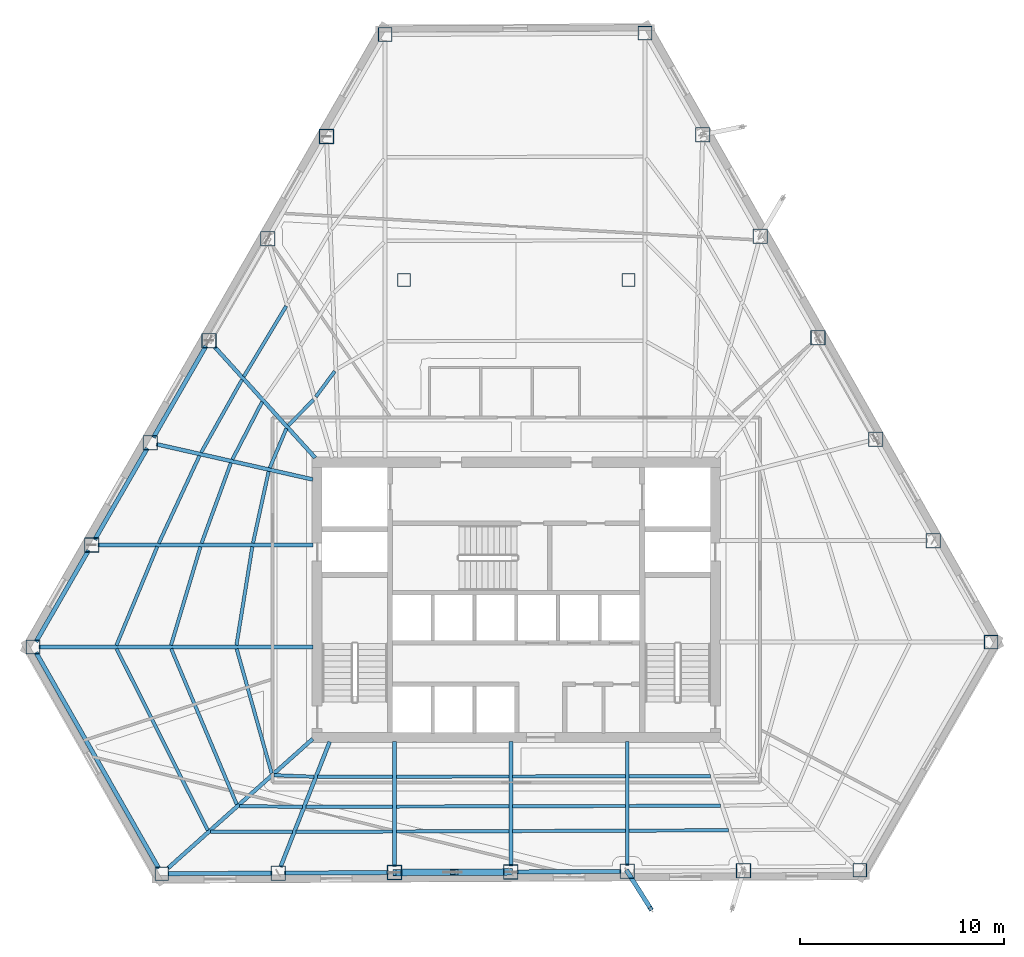
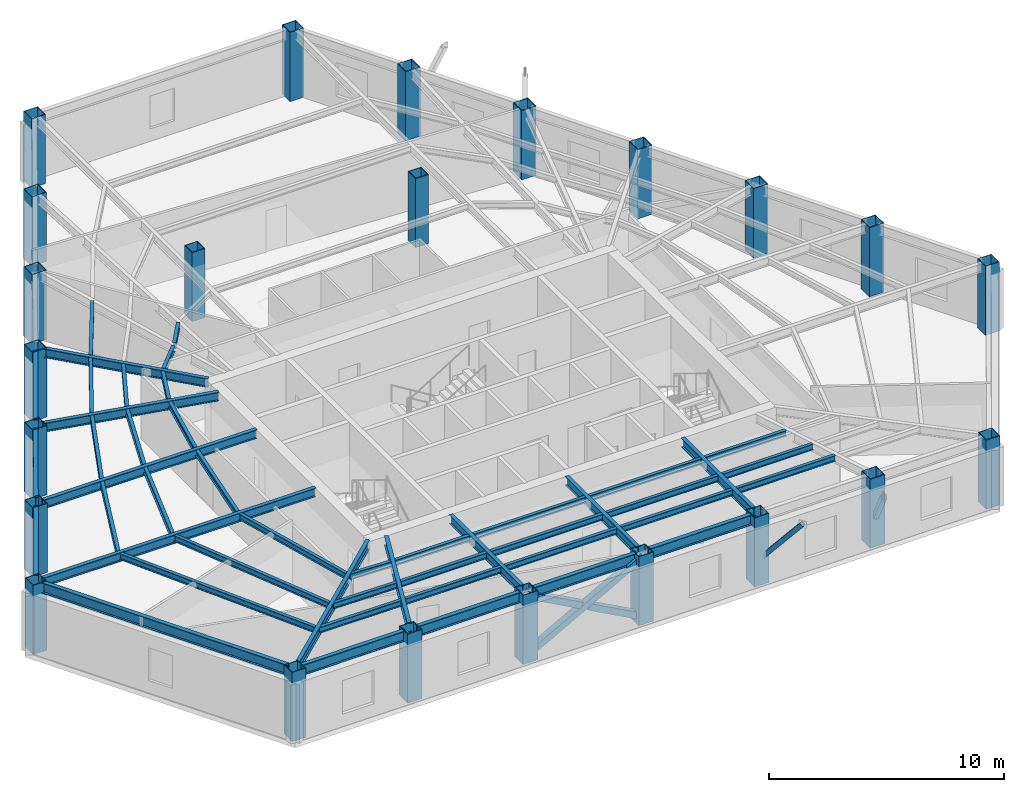
# One storey, part 1 of 13: 47 beams, 23 columns, 4 members.
"""IFC4 building model written with IfcOpenShell, lengths in metres."""

from ifc_helpers import new_model, si_unit, direction, frame, origin, origin_2d, place, context, subcontext, project, spatial, hollow_rectangle, i_section, extrude, material, material_profile, profile_set, type_object, element, save


model = new_model("IFC4")

# Units and contexts
model_context = context("Model", 3, precision=1e-05, world=origin(), true_north=direction((0.0, 1.0)))
body_context = subcontext(model_context, "Body", "Model", "MODEL_VIEW")
ifc_project = project(units=[si_unit("LENGTHUNIT", "METRE"), si_unit("AREAUNIT", "SQUARE_METRE"), si_unit("VOLUMEUNIT", "CUBIC_METRE"), si_unit("PLANEANGLEUNIT", "RADIAN"), si_unit("MASSUNIT", "GRAM", prefix="KILO")], contexts=[model_context])

# Site, building, storey
site_placement = place(None, origin())
site = spatial("IfcSite", under=ifc_project, at=site_placement, CompositionType="ELEMENT")
building_placement = place(site_placement, origin())
building = spatial("IfcBuilding", under=site, at=building_placement, Name="Kavelnor Concourse Tower", CompositionType="ELEMENT")
storey_placement = place(building_placement, frame((0.0, 0.0, 85.5)))
storey = spatial("IfcBuildingStorey", under=building, at=storey_placement, Name="L21", CompositionType="ELEMENT", Elevation=85.5)

# Columns
ifc_material = material(Name="Steel Grade 350", Category="steel")
ifc_material_profile_1 = material_profile(ifc_material, hollow_rectangle(XDim=0.679931640625, YDim=0.679931640625, WallThickness=0.030029296875, at=origin_2d()), Name="SHS 680x680x30")
ifc_profile_set_1 = profile_set([ifc_material_profile_1], Name="Steel Grade 350")
column_type_1 = type_object("IfcColumnType", Name="COL-FOLD-Z2", PredefinedType="COLUMN", material=ifc_profile_set_1)
for number, where, z_axis, x_axis, name in (
    (1, (31.568603515625, 43.842529296875, 0.0), (0.0, 0.0, 1.0), (1.0, 0.0, 0.0), "L21 Perimeter Corner-Fold Column F0-B0"),
    (2, (14.287109375, 13.78515625, 0.0), (0.0, 0.0, 1.0), (1.0, 0.0, 0.0), "L21 Perimeter Corner-Fold Column F0-B6"),
    (3, (20.60791015625, 2.663818359375, 0.0), (0.0, 0.0, 1.0), (1.0, 0.0, 0.0), "L21 Perimeter Corner-Fold Column F1-B0"),
    (4, (54.8623046875, 2.83447265625, 0.0), (0.0, 0.0, 1.0), (1.0, 0.0, 0.0), "L21 Perimeter Corner-Fold Column F1-B6"),
    (5, (61.2978515625, 14.027587890625, 0.0), (0.0, 0.0, 1.0), (1.0, 0.0, 0.0), "L21 Perimeter Corner-Fold Column F2-B0"),
    (6, (44.316650390625, 43.906005859375, 0.0), (0.0, 0.0, 1.0), (1.0, 0.0, 0.0), "L21 Perimeter Corner-Fold Column F2-B6"),
):
    element("IfcColumn", number, at=place(storey_placement, frame(where, z_axis=z_axis, x_axis=x_axis)), inside=storey, type_object=column_type_1, Name=name, PredefinedType="COLUMN", context=body_context, shape_type="SweptSolid", body=[
        extrude(hollow_rectangle(XDim=0.679931640625, YDim=0.679931640625, WallThickness=0.030029296875, at=origin_2d()), origin(), (0.0, 0.0, 1.0), 3.60009765625),
    ])
ifc_material_profile_2 = material_profile(ifc_material, hollow_rectangle(XDim=0.719970703125, YDim=0.719970703125, WallThickness=0.031982421875, at=origin_2d()), Name="SHS 720x720x32")
ifc_profile_set_2 = profile_set([ifc_material_profile_2], Name="Steel Grade 350")
column_type_2 = type_object("IfcColumnType", Name="COL-TUBE-Z2", PredefinedType="COLUMN", material=ifc_profile_set_2)
for number, where, z_axis, x_axis, name in (
    (7, (28.6884765625, 38.8330078125, 0.0), (0.0, 0.0, 1.0), (1.0, 0.0, 0.0), "L21 Perimeter Framed-Tube Column F0-B1"),
    (8, (25.80810546875, 33.823486328125, 0.0), (0.0, 0.0, 1.0), (1.0, 0.0, 0.0), "L21 Perimeter Framed-Tube Column F0-B2"),
    (9, (22.927978515625, 28.81396484375, 0.0), (0.0, 0.0, 1.0), (1.0, 0.0, 0.0), "L21 Perimeter Framed-Tube Column F0-B3"),
    (10, (20.047607421875, 23.80419921875, 0.0), (0.0, 0.0, 1.0), (1.0, 0.0, 0.0), "L21 Perimeter Framed-Tube Column F0-B4"),
    (11, (17.16748046875, 18.794921875, 0.0), (0.0, 0.0, 1.0), (1.0, 0.0, 0.0), "L21 Perimeter Framed-Tube Column F0-B5"),
    (12, (26.31689453125, 2.6923828125, 0.0), (0.0, 0.0, 1.0), (1.0, 0.0, 0.0), "L21 Perimeter Framed-Tube Column F1-B1"),
    (13, (32.026123046875, 2.720703125, 0.0), (0.0, 0.0, 1.0), (1.0, 0.0, 0.0), "L21 Perimeter Framed-Tube Column F1-B2"),
    (14, (37.735107421875, 2.749267578125, 0.0), (0.0, 0.0, 1.0), (1.0, 0.0, 0.0), "L21 Perimeter Framed-Tube Column F1-B3"),
    (15, (43.444091796875, 2.777587890625, 0.0), (0.0, 0.0, 1.0), (1.0, 0.0, 0.0), "L21 Perimeter Framed-Tube Column F1-B4"),
    (16, (49.1533203125, 2.805908203125, 0.0), (0.0, 0.0, 1.0), (1.0, 0.0, 0.0), "L21 Perimeter Framed-Tube Column F1-B5"),
    (17, (58.467529296875, 19.007080078125, 0.0), (0.0, 0.0, 1.0), (1.0, 0.0, 0.0), "L21 Perimeter Framed-Tube Column F2-B1"),
    (18, (55.637451171875, 23.987060546875, 0.0), (0.0, 0.0, 1.0), (1.0, 0.0, 0.0), "L21 Perimeter Framed-Tube Column F2-B2"),
    (19, (52.80712890625, 28.966796875, 0.0), (0.0, 0.0, 1.0), (1.0, 0.0, 0.0), "L21 Perimeter Framed-Tube Column F2-B3"),
    (20, (49.97705078125, 33.9462890625, 0.0), (0.0, 0.0, 1.0), (1.0, 0.0, 0.0), "L21 Perimeter Framed-Tube Column F2-B4"),
    (21, (47.146728515625, 38.92626953125, 0.0), (0.0, 0.0, 1.0), (1.0, 0.0, 0.0), "L21 Perimeter Framed-Tube Column F2-B5"),
):
    element("IfcColumn", number, at=place(storey_placement, frame(where, z_axis=z_axis, x_axis=x_axis)), inside=storey, type_object=column_type_2, Name=name, PredefinedType="COLUMN", context=body_context, shape_type="SweptSolid", body=[
        extrude(hollow_rectangle(XDim=0.719970703125, YDim=0.719970703125, WallThickness=0.031982421875, at=origin_2d()), origin(), (0.0, 0.0, 1.0), 3.60009765625),
    ])
ifc_material_profile_3 = material_profile(ifc_material, hollow_rectangle(XDim=0.639892578125, YDim=0.639892578125, WallThickness=0.028076171875, at=origin_2d()), Name="SHS 640x640x28")
ifc_profile_set_3 = profile_set([ifc_material_profile_3], Name="Steel Grade 350")
column_type_3 = type_object("IfcColumnType", Name="COL-TUBE-Z3", PredefinedType="COLUMN", material=ifc_profile_set_3)
for number, where, z_axis, x_axis, name in (
    (22, (32.5, 31.800048828125, 0.0), (0.0, 0.0, 1.0), (1.0, 0.0, 0.0), "L21 North Interior Gravity Column BC-NW"),
    (23, (43.5, 31.800048828125, 0.0), (0.0, 0.0, 1.0), (1.0, 0.0, 0.0), "L21 North Interior Gravity Column BC-NE"),
):
    element("IfcColumn", number, at=place(storey_placement, frame(where, z_axis=z_axis, x_axis=x_axis)), inside=storey, type_object=column_type_3, Name=name, PredefinedType="COLUMN", context=body_context, shape_type="SweptSolid", body=[
        extrude(hollow_rectangle(XDim=0.639892578125, YDim=0.639892578125, WallThickness=0.028076171875, at=origin_2d()), origin(), (0.0, 0.0, 1.0), 3.60009765625),
    ])

# Beams
ifc_material_profile_4 = material_profile(ifc_material, i_section(OverallWidth=0.166015625, OverallDepth=0.306884765625, WebThickness=0.006591796875, FlangeThickness=0.01171875, at=origin_2d()), Name="310UB46")
ifc_profile_set_4 = profile_set([ifc_material_profile_4], Name="Steel Grade 350")
beam_type_1 = type_object("IfcBeamType", Name="BM-JOIST-310", PredefinedType="JOIST", material=ifc_profile_set_4)
beam_1_placement = place(storey_placement, frame((24.282958984375, 13.699462890625, 3.446533203125), z_axis=(0.270477158848, -0.962726392357, 0.0), x_axis=(0.962726392357, 0.270477158848, 0.0)))
element("IfcBeam", 24, at=beam_1_placement, inside=storey, type_object=beam_type_1, Name="L21 Secondary Composite Joist 01-1", PredefinedType="JOIST", context=body_context, shape_type="SweptSolid", body=[
    extrude(i_section(OverallWidth=0.166015625, OverallDepth=0.306884765625, WebThickness=0.006591796875, FlangeThickness=0.01171875, at=origin_2d()), origin(), (0.0, 0.0, 1.0), 6.34814453125),
])
beam_2_placement = place(storey_placement, frame((21.069580078125, 13.703125, 3.446533203125), z_axis=(0.388203145017, -0.921573826776, 0.0), x_axis=(0.921573826776, 0.388203145017, 0.0)))
element("IfcBeam", 25, at=beam_2_placement, inside=storey, type_object=beam_type_1, Name="L21 Secondary Composite Joist 01-2", PredefinedType="JOIST", context=body_context, shape_type="SweptSolid", body=[
    extrude(i_section(OverallWidth=0.166015625, OverallDepth=0.306884765625, WebThickness=0.006591796875, FlangeThickness=0.01171875, at=origin_2d()), origin(), (0.0, 0.0, 1.0), 8.28955078125),
])
beam_3_placement = place(storey_placement, frame((18.38818359375, 13.705810546875, 3.446533203125), z_axis=(0.448799308989, -0.893632575644, 0.0), x_axis=(0.893632575644, 0.448799308989, 0.0)))
element("IfcBeam", 26, at=beam_3_placement, inside=storey, type_object=beam_type_1, Name="L21 Secondary Composite Joist 01-3", PredefinedType="JOIST", context=body_context, shape_type="SweptSolid", body=[
    extrude(i_section(OverallWidth=0.166015625, OverallDepth=0.306884765625, WebThickness=0.006591796875, FlangeThickness=0.01171875, at=origin_2d()), origin(), (0.0, 0.0, 1.0), 9.972412109375),
])
beam_4_placement = place(storey_placement, frame((26.113037109375, 7.498779296875, 3.446533203125), z_axis=(0.999218478403, -0.039527615899, 0.0), x_axis=(0.039527615899, 0.999218478403, 0.0)))
element("IfcBeam", 27, at=beam_4_placement, inside=storey, type_object=beam_type_1, Name="L21 Secondary Composite Joist 02-1", PredefinedType="JOIST", context=body_context, shape_type="SweptSolid", body=[
    extrude(i_section(OverallWidth=0.166015625, OverallDepth=0.306884765625, WebThickness=0.006591796875, FlangeThickness=0.01171875, at=origin_2d()), origin(), (0.0, 0.0, 1.0), 1.97021484375),
])
beam_5_placement = place(storey_placement, frame((24.4111328125, 5.980712890625, 3.446533203125), z_axis=(0.999930813956, -0.011762963152, 0.0), x_axis=(0.011762963152, 0.999930813956, 0.0)))
element("IfcBeam", 28, at=beam_5_placement, inside=storey, type_object=beam_type_1, Name="L21 Secondary Composite Joist 02-2", PredefinedType="JOIST", context=body_context, shape_type="SweptSolid", body=[
    extrude(i_section(OverallWidth=0.166015625, OverallDepth=0.306884765625, WebThickness=0.006591796875, FlangeThickness=0.01171875, at=origin_2d()), origin(), (0.0, 0.0, 1.0), 3.092529296875),
])
beam_6_placement = place(storey_placement, frame((22.992919921875, 4.71484375, 3.446533203125), z_axis=(1.0, 0.0, 0.0), x_axis=(0.0, 1.0, 0.0)))
element("IfcBeam", 29, at=beam_6_placement, inside=storey, type_object=beam_type_1, Name="L21 Secondary Composite Joist 02-3", PredefinedType="JOIST", context=body_context, shape_type="SweptSolid", body=[
    extrude(i_section(OverallWidth=0.166015625, OverallDepth=0.306884765625, WebThickness=0.006591796875, FlangeThickness=0.01171875, at=origin_2d()), origin(), (0.0, 0.0, 1.0), 4.028564453125),
])
beam_7_placement = place(storey_placement, frame((28.259765625, 7.41748046875, 3.446533203125), z_axis=(0.999996982785, 0.002456505667, 0.0), x_axis=(-0.002456505667, 0.999996982785, 0.0)))
element("IfcBeam", 30, at=beam_7_placement, inside=storey, type_object=beam_type_1, Name="L21 Secondary Composite Joist 03-1", PredefinedType="JOIST", context=body_context, shape_type="SweptSolid", body=[
    extrude(i_section(OverallWidth=0.166015625, OverallDepth=0.306884765625, WebThickness=0.006591796875, FlangeThickness=0.01171875, at=origin_2d()), origin(), (0.0, 0.0, 1.0), 3.67724609375),
])
beam_8_placement = place(storey_placement, frame((27.681396484375, 5.943603515625, 3.446533203125), z_axis=(0.999994464233, 0.003327386778, 0.0), x_axis=(-0.003327386778, 0.999994464233, 0.0)))
element("IfcBeam", 31, at=beam_8_placement, inside=storey, type_object=beam_type_1, Name="L21 Secondary Composite Joist 03-2", PredefinedType="JOIST", context=body_context, shape_type="SweptSolid", body=[
    extrude(i_section(OverallWidth=0.166015625, OverallDepth=0.306884765625, WebThickness=0.006591796875, FlangeThickness=0.01171875, at=origin_2d()), origin(), (0.0, 0.0, 1.0), 4.255615234375),
])
beam_9_placement = place(storey_placement, frame((27.199462890625, 4.715087890625, 3.446533203125), z_axis=(0.999992127385, 0.003968018233, 0.0), x_axis=(-0.003968018233, 0.999992127385, 0.0)))
element("IfcBeam", 32, at=beam_9_placement, inside=storey, type_object=beam_type_1, Name="L21 Secondary Composite Joist 03-3", PredefinedType="JOIST", context=body_context, shape_type="SweptSolid", body=[
    extrude(i_section(OverallWidth=0.166015625, OverallDepth=0.306884765625, WebThickness=0.006591796875, FlangeThickness=0.01171875, at=origin_2d()), origin(), (0.0, 0.0, 1.0), 4.737548828125),
])
for number, where, z_axis, x_axis, name in (
    (33, (32.114990234375, 7.4267578125, 3.446533203125), (0.999999002523, 0.00141242797, 0.0), (-0.00141242797, 0.999999002523, 0.0), "L21 Secondary Composite Joist 04-1"),
    (34, (32.114990234375, 5.958251953125, 3.446533203125), (0.999996609175, 0.002604157836, 0.0), (-0.002604157836, 0.999996609175, 0.0), "L21 Secondary Composite Joist 04-2"),
    (35, (32.114990234375, 4.734375, 3.446533203125), (0.999993450216, 0.003619326577, 0.0), (-0.003619326577, 0.999993450216, 0.0), "L21 Secondary Composite Joist 04-3"),
):
    element("IfcBeam", number, at=place(storey_placement, frame(where, z_axis=z_axis, x_axis=x_axis)), inside=storey, type_object=beam_type_1, Name=name, PredefinedType="JOIST", context=body_context, shape_type="SweptSolid", body=[
        extrude(i_section(OverallWidth=0.166015625, OverallDepth=0.306884765625, WebThickness=0.006591796875, FlangeThickness=0.01171875, at=origin_2d()), origin(), (0.0, 0.0, 1.0), 5.53125),
    ])
for number, where, z_axis, x_axis, name in (
    (36, (37.82421875, 7.434814453125, 3.446533203125), (0.999999063809, 0.001368350076, 0.0), (-0.001368350076, 0.999999063809, 0.0), "L21 Secondary Composite Joist 05-1"),
    (37, (37.82421875, 5.972900390625, 3.446533203125), (0.999996608876, 0.002604272784, 0.0), (-0.002604272784, 0.999996608876, 0.0), "L21 Secondary Composite Joist 05-2"),
    (38, (37.82421875, 4.7548828125, 3.446533203125), (0.999993449638, 0.003619486333, 0.0), (-0.003619486333, 0.999993449638, 0.0), "L21 Secondary Composite Joist 05-3"),
):
    element("IfcBeam", number, at=place(storey_placement, frame(where, z_axis=z_axis, x_axis=x_axis)), inside=storey, type_object=beam_type_1, Name=name, PredefinedType="JOIST", context=body_context, shape_type="SweptSolid", body=[
        extrude(i_section(OverallWidth=0.166015625, OverallDepth=0.306884765625, WebThickness=0.006591796875, FlangeThickness=0.01171875, at=origin_2d()), origin(), (0.0, 0.0, 1.0), 5.531005859375),
    ])
beam_10_placement = place(storey_placement, frame((43.533203125, 7.442626953125, 3.446533203125), z_axis=(0.999998541292, 0.001708043626, 0.0), x_axis=(-0.001708043626, 0.999998541292, 0.0)))
element("IfcBeam", 39, at=beam_10_placement, inside=storey, type_object=beam_type_1, Name="L21 Secondary Composite Joist 06-1", PredefinedType="JOIST", context=body_context, shape_type="SweptSolid", body=[
    extrude(i_section(OverallWidth=0.166015625, OverallDepth=0.306884765625, WebThickness=0.006591796875, FlangeThickness=0.01171875, at=origin_2d()), origin(), (0.0, 0.0, 1.0), 4.002197265625),
])
beam_11_placement = place(storey_placement, frame((43.533203125, 5.98779296875, 3.446533203125), z_axis=(0.999994828277, 0.003216118554, 0.0), x_axis=(-0.003216118554, 0.999994828277, 0.0)))
element("IfcBeam", 40, at=beam_11_placement, inside=storey, type_object=beam_type_1, Name="L21 Secondary Composite Joist 06-2", PredefinedType="JOIST", context=body_context, shape_type="SweptSolid", body=[
    extrude(i_section(OverallWidth=0.166015625, OverallDepth=0.306884765625, WebThickness=0.006591796875, FlangeThickness=0.01171875, at=origin_2d()), origin(), (0.0, 0.0, 1.0), 4.478759765625),
])
beam_12_placement = place(storey_placement, frame((43.533203125, 4.775390625, 3.446533203125), z_axis=(0.999991154484, 0.004206061638, 0.0), x_axis=(-0.004206061638, 0.999991154484, 0.0)))
element("IfcBeam", 41, at=beam_12_placement, inside=storey, type_object=beam_type_1, Name="L21 Secondary Composite Joist 06-3", PredefinedType="JOIST", context=body_context, shape_type="SweptSolid", body=[
    extrude(i_section(OverallWidth=0.166015625, OverallDepth=0.306884765625, WebThickness=0.006591796875, FlangeThickness=0.01171875, at=origin_2d()), origin(), (0.0, 0.0, 1.0), 4.875732421875),
])
beam_13_placement = place(storey_placement, frame((29.097412109375, 27.32080078125, 3.446533203125), z_axis=(-0.593688712182, -0.804694794955, 0.0), x_axis=(0.804694794955, -0.593688712182, 0.0)))
element("IfcBeam", 42, at=beam_13_placement, inside=storey, type_object=beam_type_1, Name="L21 Secondary Composite Joist 17-1", PredefinedType="JOIST", context=body_context, shape_type="SweptSolid", body=[
    extrude(i_section(OverallWidth=0.166015625, OverallDepth=0.306884765625, WebThickness=0.006591796875, FlangeThickness=0.01171875, at=origin_2d()), origin(), (0.0, 0.0, 1.0), 1.564208984375),
])
beam_14_placement = place(storey_placement, frame((28.053955078125, 25.926513671875, 3.446533203125), z_axis=(-0.696767455743, -0.717297088115, 0.0), x_axis=(0.717297088115, -0.696767455743, 0.0)))
element("IfcBeam", 43, at=beam_14_placement, inside=storey, type_object=beam_type_1, Name="L21 Secondary Composite Joist 18-1", PredefinedType="JOIST", context=body_context, shape_type="SweptSolid", body=[
    extrude(i_section(OverallWidth=0.166015625, OverallDepth=0.306884765625, WebThickness=0.006591796875, FlangeThickness=0.01171875, at=origin_2d()), origin(), (0.0, 0.0, 1.0), 1.77197265625),
])
beam_15_placement = place(storey_placement, frame((26.714111328125, 30.5166015625, 3.446533203125), z_axis=(-0.515278574143, -0.857022748257, 0.0), x_axis=(0.857022748257, -0.515278574143, 0.0)))
element("IfcBeam", 44, at=beam_15_placement, inside=storey, type_object=beam_type_1, Name="L21 Secondary Composite Joist 18-3", PredefinedType="JOIST", context=body_context, shape_type="SweptSolid", body=[
    extrude(i_section(OverallWidth=0.166015625, OverallDepth=0.306884765625, WebThickness=0.006591796875, FlangeThickness=0.01171875, at=origin_2d()), origin(), (0.0, 0.0, 1.0), 4.034912109375),
])
beam_16_placement = place(storey_placement, frame((26.722900390625, 24.509765625, 3.446533203125), z_axis=(-0.388669689817, -0.921377160677, 0.0), x_axis=(0.921377160677, -0.388669689817, 0.0)))
element("IfcBeam", 45, at=beam_16_placement, inside=storey, type_object=beam_type_1, Name="L21 Secondary Composite Joist 19-1", PredefinedType="JOIST", context=body_context, shape_type="SweptSolid", body=[
    extrude(i_section(OverallWidth=0.166015625, OverallDepth=0.306884765625, WebThickness=0.006591796875, FlangeThickness=0.01171875, at=origin_2d()), origin(), (0.0, 0.0, 1.0), 2.101806640625),
])
beam_17_placement = place(storey_placement, frame((25.53369140625, 25.81640625, 3.446533203125), z_axis=(-0.458943448697, -0.888465480983, 0.0), x_axis=(0.888465480983, -0.458943448697, 0.0)))
element("IfcBeam", 46, at=beam_17_placement, inside=storey, type_object=beam_type_1, Name="L21 Secondary Composite Joist 19-2", PredefinedType="JOIST", context=body_context, shape_type="SweptSolid", body=[
    extrude(i_section(OverallWidth=0.166015625, OverallDepth=0.306884765625, WebThickness=0.006591796875, FlangeThickness=0.01171875, at=origin_2d()), origin(), (0.0, 0.0, 1.0), 3.1865234375),
])
beam_18_placement = place(storey_placement, frame((24.545654296875, 26.904541015625, 3.446533203125), z_axis=(-0.489350418547, -0.872087247853, 0.0), x_axis=(0.872087247853, -0.489350418547, 0.0)))
element("IfcBeam", 47, at=beam_18_placement, inside=storey, type_object=beam_type_1, Name="L21 Secondary Composite Joist 19-3", PredefinedType="JOIST", context=body_context, shape_type="SweptSolid", body=[
    extrude(i_section(OverallWidth=0.166015625, OverallDepth=0.306884765625, WebThickness=0.006591796875, FlangeThickness=0.01171875, at=origin_2d()), origin(), (0.0, 0.0, 1.0), 4.09912109375),
])
beam_19_placement = place(storey_placement, frame((25.852294921875, 22.404296875, 3.446533203125), z_axis=(-0.213042491905, -0.977042934903, 0.0), x_axis=(0.977042934903, -0.213042491905, 0.0)))
element("IfcBeam", 48, at=beam_19_placement, inside=storey, type_object=beam_type_1, Name="L21 Secondary Composite Joist 20-1", PredefinedType="JOIST", context=body_context, shape_type="SweptSolid", body=[
    extrude(i_section(OverallWidth=0.166015625, OverallDepth=0.306884765625, WebThickness=0.006591796875, FlangeThickness=0.01171875, at=origin_2d()), origin(), (0.0, 0.0, 1.0), 3.605224609375),
])
beam_20_placement = place(storey_placement, frame((24.0, 22.822509765625, 3.446533203125), z_axis=(-0.34233139132, -0.939579277399, 0.0), x_axis=(0.939579277399, -0.34233139132, 0.0)))
element("IfcBeam", 49, at=beam_20_placement, inside=storey, type_object=beam_type_1, Name="L21 Secondary Composite Joist 20-2", PredefinedType="JOIST", context=body_context, shape_type="SweptSolid", body=[
    extrude(i_section(OverallWidth=0.166015625, OverallDepth=0.306884765625, WebThickness=0.006591796875, FlangeThickness=0.01171875, at=origin_2d()), origin(), (0.0, 0.0, 1.0), 4.19775390625),
])
beam_21_placement = place(storey_placement, frame((22.458740234375, 23.17138671875, 3.446533203125), z_axis=(-0.421892307774, -0.906645951097, 0.0), x_axis=(0.906645951097, -0.421892307774, 0.0)))
element("IfcBeam", 50, at=beam_21_placement, inside=storey, type_object=beam_type_1, Name="L21 Secondary Composite Joist 20-3", PredefinedType="JOIST", context=body_context, shape_type="SweptSolid", body=[
    extrude(i_section(OverallWidth=0.166015625, OverallDepth=0.306884765625, WebThickness=0.006591796875, FlangeThickness=0.01171875, at=origin_2d()), origin(), (0.0, 0.0, 1.0), 4.73828125),
])
beam_22_placement = place(storey_placement, frame((25.051025390625, 18.706787109375, 3.446533203125), z_axis=(-0.158922009339, -0.987291139911, 0.0), x_axis=(0.987291139911, -0.158922009339, 0.0)))
element("IfcBeam", 51, at=beam_22_placement, inside=storey, type_object=beam_type_1, Name="L21 Secondary Composite Joist 21-1", PredefinedType="JOIST", context=body_context, shape_type="SweptSolid", body=[
    extrude(i_section(OverallWidth=0.166015625, OverallDepth=0.306884765625, WebThickness=0.006591796875, FlangeThickness=0.01171875, at=origin_2d()), origin(), (0.0, 0.0, 1.0), 4.89599609375),
])
beam_23_placement = place(storey_placement, frame((22.507080078125, 18.70947265625, 3.446533203125), z_axis=(-0.286460796215, -0.958091964392, 0.0), x_axis=(0.958091964392, -0.286460796215, 0.0)))
element("IfcBeam", 52, at=beam_23_placement, inside=storey, type_object=beam_type_1, Name="L21 Secondary Composite Joist 21-2", PredefinedType="JOIST", context=body_context, shape_type="SweptSolid", body=[
    extrude(i_section(OverallWidth=0.166015625, OverallDepth=0.306884765625, WebThickness=0.006591796875, FlangeThickness=0.01171875, at=origin_2d()), origin(), (0.0, 0.0, 1.0), 5.050537109375),
])
beam_24_placement = place(storey_placement, frame((20.38818359375, 18.712646484375, 3.446533203125), z_axis=(-0.382505304572, -0.923953295343, 0.0), x_axis=(0.923953295343, -0.382505304572, 0.0)))
element("IfcBeam", 53, at=beam_24_placement, inside=storey, type_object=beam_type_1, Name="L21 Secondary Composite Joist 21-3", PredefinedType="JOIST", context=body_context, shape_type="SweptSolid", body=[
    extrude(i_section(OverallWidth=0.166015625, OverallDepth=0.306884765625, WebThickness=0.006591796875, FlangeThickness=0.01171875, at=origin_2d()), origin(), (0.0, 0.0, 1.0), 5.243896484375),
])
ifc_material_profile_5 = material_profile(ifc_material, i_section(OverallWidth=0.18994140625, OverallDepth=0.4541015625, WebThickness=0.008544921875, FlangeThickness=0.0126953125, at=origin_2d()), Name="460UB67")
ifc_profile_set_5 = profile_set([ifc_material_profile_5], Name="Steel Grade 350")
beam_type_2 = type_object("IfcBeamType", Name="BM-PRIMARY-460", PredefinedType="BEAM", material=ifc_profile_set_5)
beam_25_placement = place(storey_placement, frame((28.13720703125, 23.0703125, 3.373046875), z_axis=(-0.671817486684, 0.740716723576, 0.0), x_axis=(-0.740716723576, -0.671817486684, 0.0)))
element("IfcBeam", 54, at=beam_25_placement, inside=storey, type_object=beam_type_2, Name="L21 Primary Floor Girder F0-B3", PredefinedType="BEAM", context=body_context, shape_type="SweptSolid", body=[
    extrude(i_section(OverallWidth=0.18994140625, OverallDepth=0.4541015625, WebThickness=0.008544921875, FlangeThickness=0.0126953125, at=origin_2d()), origin(), (0.0, 0.0, 1.0), 7.3349609375),
])
beam_26_placement = place(storey_placement, frame((28.01904296875, 22.0068359375, 3.373046875), z_axis=(-0.975510246236, 0.219953994027, 0.0), x_axis=(-0.219953994027, -0.975510246236, 0.0)))
element("IfcBeam", 55, at=beam_26_placement, inside=storey, type_object=beam_type_2, Name="L21 Primary Floor Girder F0-B4", PredefinedType="BEAM", context=body_context, shape_type="SweptSolid", body=[
    extrude(i_section(OverallWidth=0.18994140625, OverallDepth=0.4541015625, WebThickness=0.008544921875, FlangeThickness=0.0126953125, at=origin_2d()), origin(), (0.0, 0.0, 1.0), 7.863037109375),
])
beam_27_placement = place(storey_placement, frame((28.02001953125, 18.794921875, 3.373046875), z_axis=(-1.0, 0.0, 0.0), x_axis=(0.0, -1.0, 0.0)))
element("IfcBeam", 56, at=beam_27_placement, inside=storey, type_object=beam_type_2, Name="L21 Primary Floor Girder F0-B5", PredefinedType="BEAM", context=body_context, shape_type="SweptSolid", body=[
    extrude(i_section(OverallWidth=0.18994140625, OverallDepth=0.4541015625, WebThickness=0.008544921875, FlangeThickness=0.0126953125, at=origin_2d()), origin(), (0.0, 0.0, 1.0), 10.552734375),
])
beam_28_placement = place(storey_placement, frame((28.02001953125, 13.78515625, 3.373046875), z_axis=(-1.0, 0.0, 0.0), x_axis=(0.0, -1.0, 0.0)))
element("IfcBeam", 57, at=beam_28_placement, inside=storey, type_object=beam_type_2, Name="L21 Primary Floor Girder F0-B6", PredefinedType="BEAM", context=body_context, shape_type="SweptSolid", body=[
    extrude(i_section(OverallWidth=0.18994140625, OverallDepth=0.4541015625, WebThickness=0.008544921875, FlangeThickness=0.0126953125, at=origin_2d()), origin(), (0.0, 0.0, 1.0), 13.432861328125),
])
beam_29_placement = place(storey_placement, frame((28.009765625, 9.27587890625, 3.373046875), z_axis=(-0.745769541341, -0.666204016205, 0.0), x_axis=(0.666204016205, -0.745769541341, 0.0)))
element("IfcBeam", 58, at=beam_29_placement, inside=storey, type_object=beam_type_2, Name="L21 Primary Floor Girder F1-B0", PredefinedType="BEAM", context=body_context, shape_type="SweptSolid", body=[
    extrude(i_section(OverallWidth=0.18994140625, OverallDepth=0.4541015625, WebThickness=0.008544921875, FlangeThickness=0.0126953125, at=origin_2d()), origin(), (0.0, 0.0, 1.0), 9.509033203125),
])
beam_30_placement = place(storey_placement, frame((28.845458984375, 9.13720703125, 3.373046875), z_axis=(-0.365219581826, -0.930921402187, 0.0), x_axis=(0.930921402187, -0.365219581826, 0.0)))
element("IfcBeam", 59, at=beam_30_placement, inside=storey, type_object=beam_type_2, Name="L21 Primary Floor Girder F1-B1", PredefinedType="BEAM", context=body_context, shape_type="SweptSolid", body=[
    extrude(i_section(OverallWidth=0.18994140625, OverallDepth=0.4541015625, WebThickness=0.008544921875, FlangeThickness=0.0126953125, at=origin_2d()), origin(), (0.0, 0.0, 1.0), 6.597900390625),
])
beam_31_placement = place(storey_placement, frame((32.026123046875, 9.139892578125, 3.373046875), z_axis=(0.0, -1.0, 0.0), x_axis=(1.0, 0.0, 0.0)))
element("IfcBeam", 60, at=beam_31_placement, inside=storey, type_object=beam_type_2, Name="L21 Primary Floor Girder F1-B2", PredefinedType="BEAM", context=body_context, shape_type="SweptSolid", body=[
    extrude(i_section(OverallWidth=0.18994140625, OverallDepth=0.4541015625, WebThickness=0.008544921875, FlangeThickness=0.0126953125, at=origin_2d()), origin(), (0.0, 0.0, 1.0), 6.119140625),
])
beam_32_placement = place(storey_placement, frame((37.735107421875, 9.139892578125, 3.373046875), z_axis=(0.0, -1.0, 0.0), x_axis=(1.0, 0.0, 0.0)))
element("IfcBeam", 61, at=beam_32_placement, inside=storey, type_object=beam_type_2, Name="L21 Primary Floor Girder F1-B3", PredefinedType="BEAM", context=body_context, shape_type="SweptSolid", body=[
    extrude(i_section(OverallWidth=0.18994140625, OverallDepth=0.4541015625, WebThickness=0.008544921875, FlangeThickness=0.0126953125, at=origin_2d()), origin(), (0.0, 0.0, 1.0), 6.090576171875),
])
beam_33_placement = place(storey_placement, frame((43.444091796875, 9.139892578125, 3.373046875), z_axis=(0.0, -1.0, 0.0), x_axis=(1.0, 0.0, 0.0)))
element("IfcBeam", 62, at=beam_33_placement, inside=storey, type_object=beam_type_2, Name="L21 Primary Floor Girder F1-B4", PredefinedType="BEAM", context=body_context, shape_type="SweptSolid", body=[
    extrude(i_section(OverallWidth=0.18994140625, OverallDepth=0.4541015625, WebThickness=0.008544921875, FlangeThickness=0.0126953125, at=origin_2d()), origin(), (0.0, 0.0, 1.0), 6.062255859375),
])
ifc_material_profile_6 = material_profile(ifc_material, i_section(OverallWidth=0.208984375, OverallDepth=0.532958984375, WebThickness=0.01025390625, FlangeThickness=0.015625, at=origin_2d()), Name="530UB92")
ifc_profile_set_6 = profile_set([ifc_material_profile_6], Name="Steel Grade 350")
beam_type_3 = type_object("IfcBeamType", Name="BM-SPANDREL-Z2", PredefinedType="SPANDREL", material=ifc_profile_set_6)
for number, where, z_axis, x_axis, name in (
    (63, (22.77587890625, 28.549560546875, 3.33349609375), (-0.498416101643, -0.866937938738, 0.0), (0.866937938738, -0.498416101643, 0.0), "L21 Perimeter Tube Spandrel Beam F0-B3"),
    (64, (19.895751953125, 23.539794921875, 3.33349609375), (-0.498472011719, -0.866905792767, 0.0), (0.866905792767, -0.498472011719, 0.0), "L21 Perimeter Tube Spandrel Beam F0-B4"),
    (65, (17.015380859375, 18.530517578125, 3.33349609375), (-0.498416101643, -0.866937938738, 0.0), (0.866937938738, -0.498416101643, 0.0), "L21 Perimeter Tube Spandrel Beam F0-B5"),
):
    element("IfcBeam", number, at=place(storey_placement, frame(where, z_axis=z_axis, x_axis=x_axis)), inside=storey, type_object=beam_type_3, Name=name, PredefinedType="SPANDREL", context=body_context, shape_type="SweptSolid", body=[
        extrude(i_section(OverallWidth=0.208984375, OverallDepth=0.532958984375, WebThickness=0.01025390625, FlangeThickness=0.015625, at=origin_2d()), origin(), (0.0, 0.0, 1.0), 5.168701171875),
    ])
for number, where, z_axis, x_axis, name in (
    (66, (20.912841796875, 2.665283203125, 3.33349609375), (0.999987363412, 0.005027227481, 0.0), (-0.005027227481, 0.999987363412, 0.0), "L21 Perimeter Tube Spandrel Beam F1-B0"),
    (67, (26.6220703125, 2.69384765625, 3.33349609375), (0.999987602958, 0.004979350316, 0.0), (-0.004979350316, 0.999987602958, 0.0), "L21 Perimeter Tube Spandrel Beam F1-B1"),
    (68, (32.3310546875, 2.72216796875, 3.33349609375), (0.999987363412, 0.005027227481, 0.0), (-0.005027227481, 0.999987363412, 0.0), "L21 Perimeter Tube Spandrel Beam F1-B2"),
):
    element("IfcBeam", number, at=place(storey_placement, frame(where, z_axis=z_axis, x_axis=x_axis)), inside=storey, type_object=beam_type_3, Name=name, PredefinedType="SPANDREL", context=body_context, shape_type="SweptSolid", body=[
        extrude(i_section(OverallWidth=0.208984375, OverallDepth=0.532958984375, WebThickness=0.01025390625, FlangeThickness=0.015625, at=origin_2d()), origin(), (0.0, 0.0, 1.0), 5.09912109375),
    ])
beam_34_placement = place(storey_placement, frame((38.040283203125, 2.750732421875, 3.33349609375), z_axis=(0.999987601771, 0.004979588728, 0.0), x_axis=(-0.004979588728, 0.999987601771, 0.0)))
element("IfcBeam", 69, at=beam_34_placement, inside=storey, type_object=beam_type_3, Name="L21 Perimeter Tube Spandrel Beam F1-B3", PredefinedType="SPANDREL", context=body_context, shape_type="SweptSolid", body=[
    extrude(i_section(OverallWidth=0.208984375, OverallDepth=0.532958984375, WebThickness=0.01025390625, FlangeThickness=0.015625, at=origin_2d()), origin(), (0.0, 0.0, 1.0), 5.098876953125),
])
beam_35_placement = place(storey_placement, frame((14.43798828125, 13.52001953125, 3.33349609375), z_axis=(0.49411958805, -0.869393945634, 0.0), x_axis=(0.869393945634, 0.49411958805, 0.0)))
element("IfcBeam", 70, at=beam_35_placement, inside=storey, type_object=beam_type_3, Name="L21 Chamfer Facet Spandrel Beam C1", PredefinedType="SPANDREL", context=body_context, shape_type="SweptSolid", body=[
    extrude(i_section(OverallWidth=0.208984375, OverallDepth=0.532958984375, WebThickness=0.01025390625, FlangeThickness=0.015625, at=origin_2d()), origin(), (0.0, 0.0, 1.0), 12.181884765625),
])

# Members
ifc_material_profile_7 = material_profile(ifc_material, hollow_rectangle(XDim=0.219970703125, YDim=0.219970703125, WallThickness=0.013916015625, at=origin_2d()), Name="SHS 220x220x14")
ifc_profile_set_7 = profile_set([ifc_material_profile_7], Name="Steel Grade 350")
member_type_1 = type_object("IfcMemberType", Name="MBR-BALC-STRUT-220", PredefinedType="STRUT", material=ifc_profile_set_7)
member_1_placement = place(storey_placement, frame((43.444091796875, 2.777587890625, 1.050048828125), z_axis=(0.340586477446, -0.54149504039, 0.768624728078), x_axis=(0.846482854177, 0.532415981714, 0.0)))
element("IfcMember", 71, at=member_1_placement, inside=storey, type_object=member_type_1, Name="L21 Tree Balcony Raking Knee Strut 1-A", PredefinedType="STRUT", context=body_context, shape_type="SweptSolid", body=[
    extrude(hollow_rectangle(XDim=0.219970703125, YDim=0.219970703125, WallThickness=0.013916015625, at=origin_2d()), origin(), (0.0, 0.0, 1.0), 3.38916015625),
])
ifc_material_profile_8 = material_profile(ifc_material, hollow_rectangle(XDim=0.320068359375, YDim=0.320068359375, WallThickness=0.01806640625, at=origin_2d()), Name="SHS 320x320x18")
ifc_profile_set_8 = profile_set([ifc_material_profile_8], Name="Steel Grade 350")
member_type_2 = type_object("IfcMemberType", Name="MBR-TUBE-DIAG-Z2", PredefinedType="BRACE", material=ifc_profile_set_8)
member_2_placement = place(storey_placement, frame((32.026123046875, 2.720703125, 0.219970703125), z_axis=(0.87791723216, 0.004392589641, 0.478792270858), x_axis=(-0.005003358515, 0.999987483123, 0.0)))
element("IfcMember", 72, at=member_2_placement, inside=storey, type_object=member_type_2, Name="L21 Framed-Tube Bracing Diagonal F1-B2", PredefinedType="BRACE", context=body_context, shape_type="SweptSolid", body=[
    extrude(hollow_rectangle(XDim=0.320068359375, YDim=0.320068359375, WallThickness=0.01806640625, at=origin_2d()), origin(), (0.0, 0.0, 1.0), 6.5029296875),
])
for number, where, z_axis, x_axis, name in (
    (73, (37.735107421875, 2.749267578125, 0.219970703125), (-0.877920814252, -0.004429469295, 0.478785362877), (0.005045344461, -0.999987272169, 0.0), "L21 Framed-Tube X-Brace Lower Segment F1-B2"),
    (74, (34.6875, 2.73388671875, 1.882080078125), (-0.877921124586, -0.004348935027, 0.478785532122), (0.004953613197, -0.999987730783, 0.0), "L21 Framed-Tube X-Brace Upper Segment F1-B2"),
):
    element("IfcMember", number, at=place(storey_placement, frame(where, z_axis=z_axis, x_axis=x_axis)), inside=storey, type_object=member_type_2, Name=name, PredefinedType="BRACE", context=body_context, shape_type="SweptSolid", body=[
        extrude(hollow_rectangle(XDim=0.320068359375, YDim=0.320068359375, WallThickness=0.01806640625, at=origin_2d()), origin(), (0.0, 0.0, 1.0), 3.031494140625),
    ])

save(model, "model.ifc")
